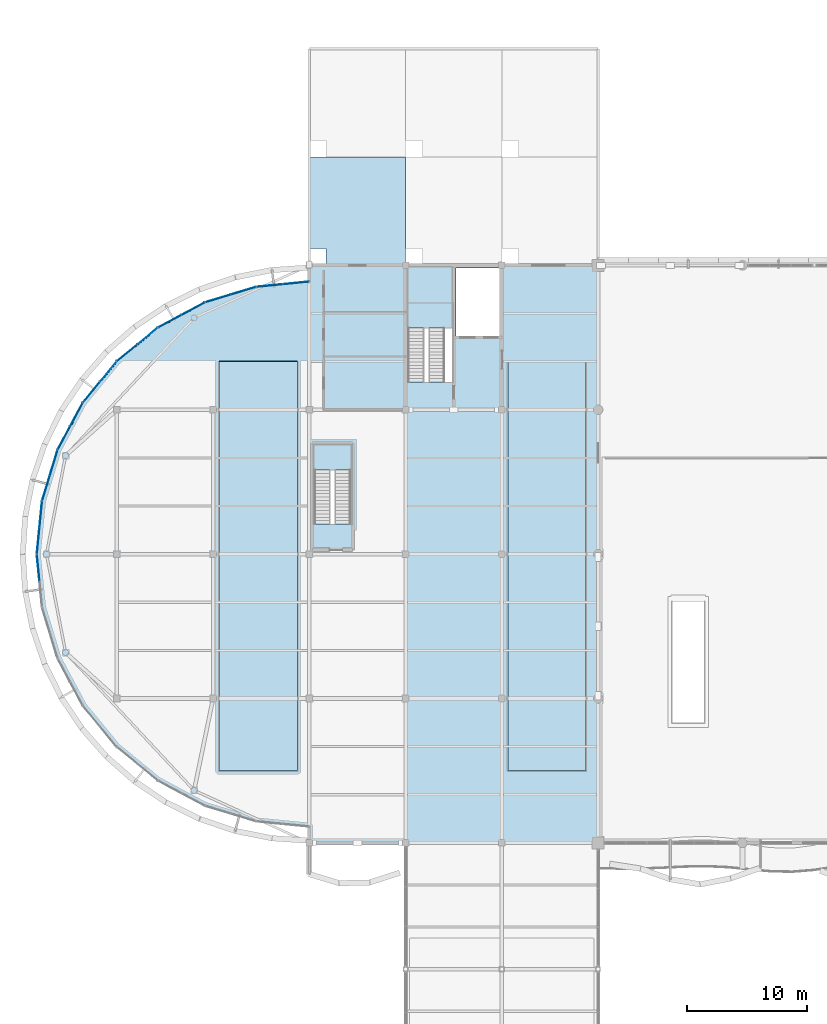
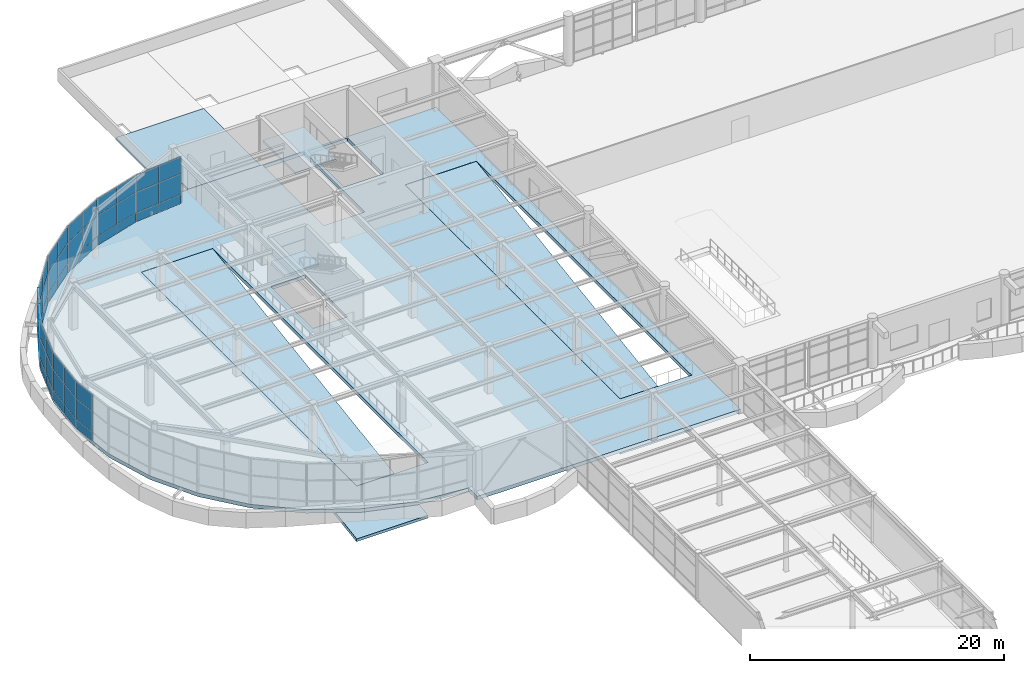
# One storey, part 38 of 72: 51 plates, 6 slabs, 11 elements without a shape of their own.
"""IFC4 building model written with IfcOpenShell, lengths in metres."""

from ifc_helpers import new_model, si_unit, direction, frame, origin, origin_with_axes, origin_2d, place, context, subcontext, project, spatial, polyline, rectangle, outline, extrude, material, layer, layer_set, type_object, element, aggregate, save


model = new_model("IFC4")

# Units and contexts
model_context = context("Model", 3, precision=1e-05, world=origin(), true_north=direction((0.0, 1.0)))
body_context = subcontext(model_context, "Body", "Model", "MODEL_VIEW")
ifc_project = project(units=[si_unit("LENGTHUNIT", "METRE"), si_unit("AREAUNIT", "SQUARE_METRE"), si_unit("VOLUMEUNIT", "CUBIC_METRE"), si_unit("PLANEANGLEUNIT", "RADIAN"), si_unit("MASSUNIT", "GRAM", prefix="KILO")], contexts=[model_context])

# Site, building, storey
site_placement = place(None, origin())
site = spatial("IfcSite", under=ifc_project, at=site_placement, CompositionType="ELEMENT")
building_placement = place(site_placement, origin())
building = spatial("IfcBuilding", under=site, at=building_placement, Name="Keelwater Ferry Terminal", CompositionType="ELEMENT")
storey_placement = place(building_placement, frame((0.0, 0.0, 5.39990234375)))
storey = spatial("IfcBuildingStorey", under=building, at=storey_placement, Name="L01", CompositionType="ELEMENT", Elevation=5.39990234375)

# Curtain wall, plates
ifc_material_1 = material(Name="Thermally broken unitised aluminium and triple glass", Category="aluminium")
ifc_layer_1 = layer(ifc_material_1, 0.179931640625)
ifc_layer_set_1 = layer_set([ifc_layer_1], Name="Thermally broken unitised aluminium and triple glass")
curtain_wall_type = type_object("IfcCurtainWallType", Name="CW-18 Unitised Curtain Wall 4350x4480", PredefinedType="USERDEFINED", material=ifc_layer_set_1)
curtain_wall_1_placement = place(storey_placement, origin())
curtain_wall_1 = element("IfcCurtainWall", 1, at=curtain_wall_1_placement, inside=storey, type_object=curtain_wall_type, Name="Unitised Curtain Wall CW-L01-109", ObjectType="UNITISED CURTAIN WALL", PredefinedType="USERDEFINED")
ifc_material_2 = material(Name="Insulated white cassette spandrel", Category="aluminium")
ifc_layer_2 = layer(ifc_material_2, 0.094970703125)
ifc_layer_set_2 = layer_set([ifc_layer_2], Name="Insulated white cassette spandrel")
plate_type_1 = type_object("IfcPlateType", Name="CWP-S2 Insulated Spandrel Panel 95", PredefinedType="CURTAIN_PANEL", material=ifc_layer_set_2)
plate_1_placement = place(storey_placement, frame((22.872802734375, 88.539306640625, 0.0), z_axis=(0.0, 0.0, 1.0), x_axis=(-0.995170573079, -0.098160737969, 0.0)))
plate_1 = element("IfcPlate", 2, at=plate_1_placement, type_object=plate_type_1, Name="CW-L01-109 Panel 1.1", PredefinedType="CURTAIN_PANEL", context=body_context, shape_type="SweptSolid", body=[
    extrude(rectangle(XDim=2.175048828125, YDim=0.094970703125, at=origin_2d()), origin(), (0.0, 0.0, 1.0), 0.85009765625),
])
plate_2_placement = place(storey_placement, frame((20.708251953125, 88.32568359375, 0.0), z_axis=(0.0, 0.0, 1.0), x_axis=(-0.995170573079, -0.098160737969, 0.0)))
plate_2 = element("IfcPlate", 3, at=plate_2_placement, type_object=plate_type_1, Name="CW-L01-109 Panel 2.1", PredefinedType="CURTAIN_PANEL", context=body_context, shape_type="SweptSolid", body=[
    extrude(rectangle(XDim=2.175048828125, YDim=0.094970703125, at=origin_2d()), origin(), (0.0, 0.0, 1.0), 0.85009765625),
])

curtain_wall_2_placement = place(storey_placement, origin())
curtain_wall_2 = element("IfcCurtainWall", 4, at=curtain_wall_2_placement, inside=storey, type_object=curtain_wall_type, Name="Unitised Curtain Wall CW-L01-110", ObjectType="UNITISED CURTAIN WALL", PredefinedType="USERDEFINED")
plate_3_placement = place(storey_placement, frame((18.497314453125, 87.88623046875, 0.0), z_axis=(0.0, 0.0, 1.0), x_axis=(-0.956929623319, -0.290319989003, 0.0)))
plate_3 = element("IfcPlate", 5, at=plate_3_placement, type_object=plate_type_1, Name="CW-L01-110 Panel 1.1", PredefinedType="CURTAIN_PANEL", context=body_context, shape_type="SweptSolid", body=[
    extrude(rectangle(XDim=2.17529296875, YDim=0.094970703125, at=origin_2d()), origin(), (0.0, 0.0, 1.0), 0.85009765625),
])
plate_4_placement = place(storey_placement, frame((16.415771484375, 87.254638671875, 0.0), z_axis=(0.0, 0.0, 1.0), x_axis=(-0.956929623319, -0.290319989003, 0.0)))
plate_4 = element("IfcPlate", 6, at=plate_4_placement, type_object=plate_type_1, Name="CW-L01-110 Panel 2.1", PredefinedType="CURTAIN_PANEL", context=body_context, shape_type="SweptSolid", body=[
    extrude(rectangle(XDim=2.17529296875, YDim=0.094970703125, at=origin_2d()), origin(), (0.0, 0.0, 1.0), 0.85009765625),
])

curtain_wall_3_placement = place(storey_placement, origin())
curtain_wall_3 = element("IfcCurtainWall", 7, at=curtain_wall_3_placement, inside=storey, type_object=curtain_wall_type, Name="Unitised Curtain Wall CW-L01-111", ObjectType="UNITISED CURTAIN WALL", PredefinedType="USERDEFINED")
plate_5_placement = place(storey_placement, frame((14.3330078125, 86.392333984375, 0.0), z_axis=(0.0, 0.0, 1.0), x_axis=(-0.881862452632, -0.471506749303, 0.0)))
plate_5 = element("IfcPlate", 8, at=plate_5_placement, type_object=plate_type_1, Name="CW-L01-111 Panel 1.1", PredefinedType="CURTAIN_PANEL", context=body_context, shape_type="SweptSolid", body=[
    extrude(rectangle(XDim=2.175048828125, YDim=0.094970703125, at=origin_2d()), origin(), (0.0, 0.0, 1.0), 0.85009765625),
])
plate_6_placement = place(storey_placement, frame((12.4150390625, 85.36669921875, 0.0), z_axis=(0.0, 0.0, 1.0), x_axis=(-0.881862452632, -0.471506749303, 0.0)))
plate_6 = element("IfcPlate", 9, at=plate_6_placement, type_object=plate_type_1, Name="CW-L01-111 Panel 2.1", PredefinedType="CURTAIN_PANEL", context=body_context, shape_type="SweptSolid", body=[
    extrude(rectangle(XDim=2.175048828125, YDim=0.094970703125, at=origin_2d()), origin(), (0.0, 0.0, 1.0), 0.85009765625),
])

curtain_wall_4_placement = place(storey_placement, origin())
curtain_wall_4 = element("IfcCurtainWall", 10, at=curtain_wall_4_placement, inside=storey, type_object=curtain_wall_type, Name="Unitised Curtain Wall CW-L01-112", ObjectType="UNITISED CURTAIN WALL", PredefinedType="USERDEFINED")
plate_7_placement = place(storey_placement, frame((10.54052734375, 84.1142578125, 0.0), z_axis=(0.0, 0.0, 1.0), x_axis=(-0.773024220086, -0.634376508991, 0.0)))
plate_7 = element("IfcPlate", 11, at=plate_7_placement, type_object=plate_type_1, Name="CW-L01-112 Panel 1.1", PredefinedType="CURTAIN_PANEL", context=body_context, shape_type="SweptSolid", body=[
    extrude(rectangle(XDim=2.174560546875, YDim=0.094970703125, at=origin_2d()), origin(), (0.0, 0.0, 1.0), 0.85009765625),
])
plate_8_placement = place(storey_placement, frame((8.859619140625, 82.73486328125, 0.0), z_axis=(0.0, 0.0, 1.0), x_axis=(-0.773024220086, -0.634376508991, 0.0)))
plate_8 = element("IfcPlate", 12, at=plate_8_placement, type_object=plate_type_1, Name="CW-L01-112 Panel 2.1", PredefinedType="CURTAIN_PANEL", context=body_context, shape_type="SweptSolid", body=[
    extrude(rectangle(XDim=2.174560546875, YDim=0.094970703125, at=origin_2d()), origin(), (0.0, 0.0, 1.0), 0.85009765625),
])

curtain_wall_5_placement = place(storey_placement, origin())
curtain_wall_5 = element("IfcCurtainWall", 13, at=curtain_wall_5_placement, inside=storey, type_object=curtain_wall_type, Name="Unitised Curtain Wall CW-L01-113", ObjectType="UNITISED CURTAIN WALL", PredefinedType="USERDEFINED")
plate_9_placement = place(storey_placement, frame((7.26513671875, 81.140380859375, 0.0), z_axis=(0.0, 0.0, 1.0), x_axis=(-0.634376508991, -0.773024220086, 0.0)))
plate_9 = element("IfcPlate", 14, at=plate_9_placement, type_object=plate_type_1, Name="CW-L01-113 Panel 1.1", PredefinedType="CURTAIN_PANEL", context=body_context, shape_type="SweptSolid", body=[
    extrude(rectangle(XDim=2.174560546875, YDim=0.094970703125, at=origin_2d()), origin(), (0.0, 0.0, 1.0), 0.85009765625),
])
plate_10_placement = place(storey_placement, frame((5.8857421875, 79.45947265625, 0.0), z_axis=(0.0, 0.0, 1.0), x_axis=(-0.634376508991, -0.773024220086, 0.0)))
plate_10 = element("IfcPlate", 15, at=plate_10_placement, type_object=plate_type_1, Name="CW-L01-113 Panel 2.1", PredefinedType="CURTAIN_PANEL", context=body_context, shape_type="SweptSolid", body=[
    extrude(rectangle(XDim=2.174560546875, YDim=0.094970703125, at=origin_2d()), origin(), (0.0, 0.0, 1.0), 0.85009765625),
])

curtain_wall_6_placement = place(storey_placement, origin())
curtain_wall_6 = element("IfcCurtainWall", 16, at=curtain_wall_6_placement, inside=storey, type_object=curtain_wall_type, Name="Unitised Curtain Wall CW-L01-114", ObjectType="UNITISED CURTAIN WALL", PredefinedType="USERDEFINED")
plate_11_placement = place(storey_placement, frame((4.63330078125, 77.5849609375, 0.0), z_axis=(0.0, 0.0, 1.0), x_axis=(-0.471506749303, -0.881862452632, 0.0)))
plate_11 = element("IfcPlate", 17, at=plate_11_placement, type_object=plate_type_1, Name="CW-L01-114 Panel 1.1", PredefinedType="CURTAIN_PANEL", context=body_context, shape_type="SweptSolid", body=[
    extrude(rectangle(XDim=2.175048828125, YDim=0.094970703125, at=origin_2d()), origin(), (0.0, 0.0, 1.0), 0.85009765625),
])
plate_12_placement = place(storey_placement, frame((3.607666015625, 75.6669921875, 0.0), z_axis=(0.0, 0.0, 1.0), x_axis=(-0.471506749303, -0.881862452632, 0.0)))
plate_12 = element("IfcPlate", 18, at=plate_12_placement, type_object=plate_type_1, Name="CW-L01-114 Panel 2.1", PredefinedType="CURTAIN_PANEL", context=body_context, shape_type="SweptSolid", body=[
    extrude(rectangle(XDim=2.175048828125, YDim=0.094970703125, at=origin_2d()), origin(), (0.0, 0.0, 1.0), 0.85009765625),
])

curtain_wall_7_placement = place(storey_placement, origin())
curtain_wall_7 = element("IfcCurtainWall", 19, at=curtain_wall_7_placement, inside=storey, type_object=curtain_wall_type, Name="Unitised Curtain Wall CW-L01-115", ObjectType="UNITISED CURTAIN WALL", PredefinedType="USERDEFINED")
plate_13_placement = place(storey_placement, frame((2.745361328125, 73.584228515625, 0.0), z_axis=(0.0, 0.0, 1.0), x_axis=(-0.290319989003, -0.956929623319, 0.0)))
plate_13 = element("IfcPlate", 20, at=plate_13_placement, type_object=plate_type_1, Name="CW-L01-115 Panel 1.1", PredefinedType="CURTAIN_PANEL", context=body_context, shape_type="SweptSolid", body=[
    extrude(rectangle(XDim=2.17529296875, YDim=0.094970703125, at=origin_2d()), origin(), (0.0, 0.0, 1.0), 0.85009765625),
])
plate_14_placement = place(storey_placement, frame((2.11376953125, 71.502685546875, 0.0), z_axis=(0.0, 0.0, 1.0), x_axis=(-0.290319989003, -0.956929623319, 0.0)))
plate_14 = element("IfcPlate", 21, at=plate_14_placement, type_object=plate_type_1, Name="CW-L01-115 Panel 2.1", PredefinedType="CURTAIN_PANEL", context=body_context, shape_type="SweptSolid", body=[
    extrude(rectangle(XDim=2.17529296875, YDim=0.094970703125, at=origin_2d()), origin(), (0.0, 0.0, 1.0), 0.85009765625),
])

curtain_wall_8_placement = place(storey_placement, origin())
curtain_wall_8 = element("IfcCurtainWall", 22, at=curtain_wall_8_placement, inside=storey, type_object=curtain_wall_type, Name="Unitised Curtain Wall CW-L01-116", ObjectType="UNITISED CURTAIN WALL", PredefinedType="USERDEFINED")
plate_15_placement = place(storey_placement, frame((1.67431640625, 69.291748046875, 0.0), z_axis=(0.0, 0.0, 1.0), x_axis=(-0.098160737969, -0.995170573079, 0.0)))
plate_15 = element("IfcPlate", 23, at=plate_15_placement, type_object=plate_type_1, Name="CW-L01-116 Panel 1.1", PredefinedType="CURTAIN_PANEL", context=body_context, shape_type="SweptSolid", body=[
    extrude(rectangle(XDim=2.175048828125, YDim=0.094970703125, at=origin_2d()), origin(), (0.0, 0.0, 1.0), 0.85009765625),
])
plate_16_placement = place(storey_placement, frame((1.460693359375, 67.127197265625, 0.0), z_axis=(0.0, 0.0, 1.0), x_axis=(-0.098160737969, -0.995170573079, 0.0)))
plate_16 = element("IfcPlate", 24, at=plate_16_placement, type_object=plate_type_1, Name="CW-L01-116 Panel 2.1", PredefinedType="CURTAIN_PANEL", context=body_context, shape_type="SweptSolid", body=[
    extrude(rectangle(XDim=2.175048828125, YDim=0.094970703125, at=origin_2d()), origin(), (0.0, 0.0, 1.0), 0.85009765625),
])

# Curtain wall, plate
curtain_wall_9_placement = place(storey_placement, origin())
curtain_wall_9 = element("IfcCurtainWall", 25, at=curtain_wall_9_placement, inside=storey, type_object=curtain_wall_type, Name="Unitised Curtain Wall CW-L01-117", ObjectType="UNITISED CURTAIN WALL", PredefinedType="USERDEFINED")
plate_17_placement = place(storey_placement, frame((1.460693359375, 64.872802734375, 0.0), z_axis=(0.0, 0.0, 1.0), x_axis=(0.098160737969, -0.995170573079, 0.0)))
plate_17 = element("IfcPlate", 26, at=plate_17_placement, type_object=plate_type_1, Name="CW-L01-117 Panel 1.1", PredefinedType="CURTAIN_PANEL", context=body_context, shape_type="SweptSolid", body=[
    extrude(rectangle(XDim=2.175048828125, YDim=0.094970703125, at=origin_2d()), origin(), (0.0, 0.0, 1.0), 0.85009765625),
])

# Plate
ifc_material_3 = material(Name="Triple low-E laminated glass", Category="glass")
ifc_layer_3 = layer(ifc_material_3, 0.035888671875)
ifc_layer_set_3 = layer_set([ifc_layer_3], Name="Triple low-E laminated glass")
plate_type_2 = type_object("IfcPlateType", Name="CWP-V1 Glazed Vision Panel 36", PredefinedType="CURTAIN_PANEL", material=ifc_layer_set_3)
plate_18_placement = place(storey_placement, frame((22.872802734375, 88.539306640625, 0.85009765625), z_axis=(0.0, 0.0, 1.0), x_axis=(-0.995170573079, -0.098160737969, 0.0)))
plate_18 = element("IfcPlate", 27, at=plate_18_placement, type_object=plate_type_2, Name="CW-L01-109 Panel 1.2", PredefinedType="CURTAIN_PANEL", context=body_context, shape_type="SweptSolid", body=[
    extrude(rectangle(XDim=2.175048828125, YDim=0.035888671875, at=origin_2d()), origin(), (0.0, 0.0, 1.0), 2.0),
])

plate_19_placement = place(storey_placement, frame((22.872802734375, 88.539306640625, 2.85009765625), z_axis=(0.0, 0.0, 1.0), x_axis=(-0.995170573079, -0.098160737969, 0.0)))
plate_19 = element("IfcPlate", 28, at=plate_19_placement, type_object=plate_type_2, Name="CW-L01-109 Panel 1.3", PredefinedType="CURTAIN_PANEL", context=body_context, shape_type="SweptSolid", body=[
    extrude(rectangle(XDim=2.175048828125, YDim=0.035888671875, at=origin_2d()), origin(), (0.0, 0.0, 1.0), 1.6298828125),
])

plate_20_placement = place(storey_placement, frame((20.708251953125, 88.32568359375, 0.85009765625), z_axis=(0.0, 0.0, 1.0), x_axis=(-0.995170573079, -0.098160737969, 0.0)))
plate_20 = element("IfcPlate", 29, at=plate_20_placement, type_object=plate_type_2, Name="CW-L01-109 Panel 2.2", PredefinedType="CURTAIN_PANEL", context=body_context, shape_type="SweptSolid", body=[
    extrude(rectangle(XDim=2.175048828125, YDim=0.035888671875, at=origin_2d()), origin(), (0.0, 0.0, 1.0), 2.0),
])

plate_21_placement = place(storey_placement, frame((20.708251953125, 88.32568359375, 2.85009765625), z_axis=(0.0, 0.0, 1.0), x_axis=(-0.995170573079, -0.098160737969, 0.0)))
plate_21 = element("IfcPlate", 30, at=plate_21_placement, type_object=plate_type_2, Name="CW-L01-109 Panel 2.3", PredefinedType="CURTAIN_PANEL", context=body_context, shape_type="SweptSolid", body=[
    extrude(rectangle(XDim=2.175048828125, YDim=0.035888671875, at=origin_2d()), origin(), (0.0, 0.0, 1.0), 1.6298828125),
])

aggregate(curtain_wall_1, [plate_1, plate_18, plate_19, plate_2, plate_20, plate_21])

plate_22_placement = place(storey_placement, frame((18.497314453125, 87.88623046875, 0.85009765625), z_axis=(0.0, 0.0, 1.0), x_axis=(-0.956929623319, -0.290319989003, 0.0)))
plate_22 = element("IfcPlate", 31, at=plate_22_placement, type_object=plate_type_2, Name="CW-L01-110 Panel 1.2", PredefinedType="CURTAIN_PANEL", context=body_context, shape_type="SweptSolid", body=[
    extrude(rectangle(XDim=2.17529296875, YDim=0.035888671875, at=origin_2d()), origin(), (0.0, 0.0, 1.0), 2.0),
])

plate_23_placement = place(storey_placement, frame((18.497314453125, 87.88623046875, 2.85009765625), z_axis=(0.0, 0.0, 1.0), x_axis=(-0.956929623319, -0.290319989003, 0.0)))
plate_23 = element("IfcPlate", 32, at=plate_23_placement, type_object=plate_type_2, Name="CW-L01-110 Panel 1.3", PredefinedType="CURTAIN_PANEL", context=body_context, shape_type="SweptSolid", body=[
    extrude(rectangle(XDim=2.17529296875, YDim=0.035888671875, at=origin_2d()), origin(), (0.0, 0.0, 1.0), 1.6298828125),
])

plate_24_placement = place(storey_placement, frame((16.415771484375, 87.254638671875, 0.85009765625), z_axis=(0.0, 0.0, 1.0), x_axis=(-0.956929623319, -0.290319989003, 0.0)))
plate_24 = element("IfcPlate", 33, at=plate_24_placement, type_object=plate_type_2, Name="CW-L01-110 Panel 2.2", PredefinedType="CURTAIN_PANEL", context=body_context, shape_type="SweptSolid", body=[
    extrude(rectangle(XDim=2.17529296875, YDim=0.035888671875, at=origin_2d()), origin(), (0.0, 0.0, 1.0), 2.0),
])

plate_25_placement = place(storey_placement, frame((16.415771484375, 87.254638671875, 2.85009765625), z_axis=(0.0, 0.0, 1.0), x_axis=(-0.956929623319, -0.290319989003, 0.0)))
plate_25 = element("IfcPlate", 34, at=plate_25_placement, type_object=plate_type_2, Name="CW-L01-110 Panel 2.3", PredefinedType="CURTAIN_PANEL", context=body_context, shape_type="SweptSolid", body=[
    extrude(rectangle(XDim=2.17529296875, YDim=0.035888671875, at=origin_2d()), origin(), (0.0, 0.0, 1.0), 1.6298828125),
])

aggregate(curtain_wall_2, [plate_3, plate_22, plate_23, plate_4, plate_24, plate_25])

plate_26_placement = place(storey_placement, frame((14.3330078125, 86.392333984375, 0.85009765625), z_axis=(0.0, 0.0, 1.0), x_axis=(-0.881862452632, -0.471506749303, 0.0)))
plate_26 = element("IfcPlate", 35, at=plate_26_placement, type_object=plate_type_2, Name="CW-L01-111 Panel 1.2", PredefinedType="CURTAIN_PANEL", context=body_context, shape_type="SweptSolid", body=[
    extrude(rectangle(XDim=2.175048828125, YDim=0.035888671875, at=origin_2d()), origin(), (0.0, 0.0, 1.0), 2.0),
])

plate_27_placement = place(storey_placement, frame((14.3330078125, 86.392333984375, 2.85009765625), z_axis=(0.0, 0.0, 1.0), x_axis=(-0.881862452632, -0.471506749303, 0.0)))
plate_27 = element("IfcPlate", 36, at=plate_27_placement, type_object=plate_type_2, Name="CW-L01-111 Panel 1.3", PredefinedType="CURTAIN_PANEL", context=body_context, shape_type="SweptSolid", body=[
    extrude(rectangle(XDim=2.175048828125, YDim=0.035888671875, at=origin_2d()), origin(), (0.0, 0.0, 1.0), 1.6298828125),
])

plate_28_placement = place(storey_placement, frame((12.4150390625, 85.36669921875, 0.85009765625), z_axis=(0.0, 0.0, 1.0), x_axis=(-0.881862452632, -0.471506749303, 0.0)))
plate_28 = element("IfcPlate", 37, at=plate_28_placement, type_object=plate_type_2, Name="CW-L01-111 Panel 2.2", PredefinedType="CURTAIN_PANEL", context=body_context, shape_type="SweptSolid", body=[
    extrude(rectangle(XDim=2.175048828125, YDim=0.035888671875, at=origin_2d()), origin(), (0.0, 0.0, 1.0), 2.0),
])

plate_29_placement = place(storey_placement, frame((12.4150390625, 85.36669921875, 2.85009765625), z_axis=(0.0, 0.0, 1.0), x_axis=(-0.881862452632, -0.471506749303, 0.0)))
plate_29 = element("IfcPlate", 38, at=plate_29_placement, type_object=plate_type_2, Name="CW-L01-111 Panel 2.3", PredefinedType="CURTAIN_PANEL", context=body_context, shape_type="SweptSolid", body=[
    extrude(rectangle(XDim=2.175048828125, YDim=0.035888671875, at=origin_2d()), origin(), (0.0, 0.0, 1.0), 1.6298828125),
])

aggregate(curtain_wall_3, [plate_5, plate_26, plate_27, plate_6, plate_28, plate_29])

plate_30_placement = place(storey_placement, frame((10.54052734375, 84.1142578125, 0.85009765625), z_axis=(0.0, 0.0, 1.0), x_axis=(-0.773024220086, -0.634376508991, 0.0)))
plate_30 = element("IfcPlate", 39, at=plate_30_placement, type_object=plate_type_2, Name="CW-L01-112 Panel 1.2", PredefinedType="CURTAIN_PANEL", context=body_context, shape_type="SweptSolid", body=[
    extrude(rectangle(XDim=2.174560546875, YDim=0.035888671875, at=origin_2d()), origin(), (0.0, 0.0, 1.0), 2.0),
])

plate_31_placement = place(storey_placement, frame((10.54052734375, 84.1142578125, 2.85009765625), z_axis=(0.0, 0.0, 1.0), x_axis=(-0.773024220086, -0.634376508991, 0.0)))
plate_31 = element("IfcPlate", 40, at=plate_31_placement, type_object=plate_type_2, Name="CW-L01-112 Panel 1.3", PredefinedType="CURTAIN_PANEL", context=body_context, shape_type="SweptSolid", body=[
    extrude(rectangle(XDim=2.174560546875, YDim=0.035888671875, at=origin_2d()), origin(), (0.0, 0.0, 1.0), 1.6298828125),
])

plate_32_placement = place(storey_placement, frame((8.859619140625, 82.73486328125, 0.85009765625), z_axis=(0.0, 0.0, 1.0), x_axis=(-0.773024220086, -0.634376508991, 0.0)))
plate_32 = element("IfcPlate", 41, at=plate_32_placement, type_object=plate_type_2, Name="CW-L01-112 Panel 2.2", PredefinedType="CURTAIN_PANEL", context=body_context, shape_type="SweptSolid", body=[
    extrude(rectangle(XDim=2.174560546875, YDim=0.035888671875, at=origin_2d()), origin(), (0.0, 0.0, 1.0), 2.0),
])

plate_33_placement = place(storey_placement, frame((8.859619140625, 82.73486328125, 2.85009765625), z_axis=(0.0, 0.0, 1.0), x_axis=(-0.773024220086, -0.634376508991, 0.0)))
plate_33 = element("IfcPlate", 42, at=plate_33_placement, type_object=plate_type_2, Name="CW-L01-112 Panel 2.3", PredefinedType="CURTAIN_PANEL", context=body_context, shape_type="SweptSolid", body=[
    extrude(rectangle(XDim=2.174560546875, YDim=0.035888671875, at=origin_2d()), origin(), (0.0, 0.0, 1.0), 1.6298828125),
])

aggregate(curtain_wall_4, [plate_7, plate_30, plate_31, plate_8, plate_32, plate_33])

plate_34_placement = place(storey_placement, frame((7.26513671875, 81.140380859375, 0.85009765625), z_axis=(0.0, 0.0, 1.0), x_axis=(-0.634376508991, -0.773024220086, 0.0)))
plate_34 = element("IfcPlate", 43, at=plate_34_placement, type_object=plate_type_2, Name="CW-L01-113 Panel 1.2", PredefinedType="CURTAIN_PANEL", context=body_context, shape_type="SweptSolid", body=[
    extrude(rectangle(XDim=2.174560546875, YDim=0.035888671875, at=origin_2d()), origin(), (0.0, 0.0, 1.0), 2.0),
])

plate_35_placement = place(storey_placement, frame((7.26513671875, 81.140380859375, 2.85009765625), z_axis=(0.0, 0.0, 1.0), x_axis=(-0.634376508991, -0.773024220086, 0.0)))
plate_35 = element("IfcPlate", 44, at=plate_35_placement, type_object=plate_type_2, Name="CW-L01-113 Panel 1.3", PredefinedType="CURTAIN_PANEL", context=body_context, shape_type="SweptSolid", body=[
    extrude(rectangle(XDim=2.174560546875, YDim=0.035888671875, at=origin_2d()), origin(), (0.0, 0.0, 1.0), 1.6298828125),
])

plate_36_placement = place(storey_placement, frame((5.8857421875, 79.45947265625, 0.85009765625), z_axis=(0.0, 0.0, 1.0), x_axis=(-0.634376508991, -0.773024220086, 0.0)))
plate_36 = element("IfcPlate", 45, at=plate_36_placement, type_object=plate_type_2, Name="CW-L01-113 Panel 2.2", PredefinedType="CURTAIN_PANEL", context=body_context, shape_type="SweptSolid", body=[
    extrude(rectangle(XDim=2.174560546875, YDim=0.035888671875, at=origin_2d()), origin(), (0.0, 0.0, 1.0), 2.0),
])

plate_37_placement = place(storey_placement, frame((5.8857421875, 79.45947265625, 2.85009765625), z_axis=(0.0, 0.0, 1.0), x_axis=(-0.634376508991, -0.773024220086, 0.0)))
plate_37 = element("IfcPlate", 46, at=plate_37_placement, type_object=plate_type_2, Name="CW-L01-113 Panel 2.3", PredefinedType="CURTAIN_PANEL", context=body_context, shape_type="SweptSolid", body=[
    extrude(rectangle(XDim=2.174560546875, YDim=0.035888671875, at=origin_2d()), origin(), (0.0, 0.0, 1.0), 1.6298828125),
])

aggregate(curtain_wall_5, [plate_9, plate_34, plate_35, plate_10, plate_36, plate_37])

plate_38_placement = place(storey_placement, frame((4.63330078125, 77.5849609375, 0.85009765625), z_axis=(0.0, 0.0, 1.0), x_axis=(-0.471506749303, -0.881862452632, 0.0)))
plate_38 = element("IfcPlate", 47, at=plate_38_placement, type_object=plate_type_2, Name="CW-L01-114 Panel 1.2", PredefinedType="CURTAIN_PANEL", context=body_context, shape_type="SweptSolid", body=[
    extrude(rectangle(XDim=2.175048828125, YDim=0.035888671875, at=origin_2d()), origin(), (0.0, 0.0, 1.0), 2.0),
])

plate_39_placement = place(storey_placement, frame((4.63330078125, 77.5849609375, 2.85009765625), z_axis=(0.0, 0.0, 1.0), x_axis=(-0.471506749303, -0.881862452632, 0.0)))
plate_39 = element("IfcPlate", 48, at=plate_39_placement, type_object=plate_type_2, Name="CW-L01-114 Panel 1.3", PredefinedType="CURTAIN_PANEL", context=body_context, shape_type="SweptSolid", body=[
    extrude(rectangle(XDim=2.175048828125, YDim=0.035888671875, at=origin_2d()), origin(), (0.0, 0.0, 1.0), 1.6298828125),
])

plate_40_placement = place(storey_placement, frame((3.607666015625, 75.6669921875, 0.85009765625), z_axis=(0.0, 0.0, 1.0), x_axis=(-0.471506749303, -0.881862452632, 0.0)))
plate_40 = element("IfcPlate", 49, at=plate_40_placement, type_object=plate_type_2, Name="CW-L01-114 Panel 2.2", PredefinedType="CURTAIN_PANEL", context=body_context, shape_type="SweptSolid", body=[
    extrude(rectangle(XDim=2.175048828125, YDim=0.035888671875, at=origin_2d()), origin(), (0.0, 0.0, 1.0), 2.0),
])

plate_41_placement = place(storey_placement, frame((3.607666015625, 75.6669921875, 2.85009765625), z_axis=(0.0, 0.0, 1.0), x_axis=(-0.471506749303, -0.881862452632, 0.0)))
plate_41 = element("IfcPlate", 50, at=plate_41_placement, type_object=plate_type_2, Name="CW-L01-114 Panel 2.3", PredefinedType="CURTAIN_PANEL", context=body_context, shape_type="SweptSolid", body=[
    extrude(rectangle(XDim=2.175048828125, YDim=0.035888671875, at=origin_2d()), origin(), (0.0, 0.0, 1.0), 1.6298828125),
])

aggregate(curtain_wall_6, [plate_11, plate_38, plate_39, plate_12, plate_40, plate_41])

plate_42_placement = place(storey_placement, frame((2.745361328125, 73.584228515625, 0.85009765625), z_axis=(0.0, 0.0, 1.0), x_axis=(-0.290319989003, -0.956929623319, 0.0)))
plate_42 = element("IfcPlate", 51, at=plate_42_placement, type_object=plate_type_2, Name="CW-L01-115 Panel 1.2", PredefinedType="CURTAIN_PANEL", context=body_context, shape_type="SweptSolid", body=[
    extrude(rectangle(XDim=2.17529296875, YDim=0.035888671875, at=origin_2d()), origin(), (0.0, 0.0, 1.0), 2.0),
])

plate_43_placement = place(storey_placement, frame((2.745361328125, 73.584228515625, 2.85009765625), z_axis=(0.0, 0.0, 1.0), x_axis=(-0.290319989003, -0.956929623319, 0.0)))
plate_43 = element("IfcPlate", 52, at=plate_43_placement, type_object=plate_type_2, Name="CW-L01-115 Panel 1.3", PredefinedType="CURTAIN_PANEL", context=body_context, shape_type="SweptSolid", body=[
    extrude(rectangle(XDim=2.17529296875, YDim=0.035888671875, at=origin_2d()), origin(), (0.0, 0.0, 1.0), 1.6298828125),
])

plate_44_placement = place(storey_placement, frame((2.11376953125, 71.502685546875, 0.85009765625), z_axis=(0.0, 0.0, 1.0), x_axis=(-0.290319989003, -0.956929623319, 0.0)))
plate_44 = element("IfcPlate", 53, at=plate_44_placement, type_object=plate_type_2, Name="CW-L01-115 Panel 2.2", PredefinedType="CURTAIN_PANEL", context=body_context, shape_type="SweptSolid", body=[
    extrude(rectangle(XDim=2.17529296875, YDim=0.035888671875, at=origin_2d()), origin(), (0.0, 0.0, 1.0), 2.0),
])

plate_45_placement = place(storey_placement, frame((2.11376953125, 71.502685546875, 2.85009765625), z_axis=(0.0, 0.0, 1.0), x_axis=(-0.290319989003, -0.956929623319, 0.0)))
plate_45 = element("IfcPlate", 54, at=plate_45_placement, type_object=plate_type_2, Name="CW-L01-115 Panel 2.3", PredefinedType="CURTAIN_PANEL", context=body_context, shape_type="SweptSolid", body=[
    extrude(rectangle(XDim=2.17529296875, YDim=0.035888671875, at=origin_2d()), origin(), (0.0, 0.0, 1.0), 1.6298828125),
])

aggregate(curtain_wall_7, [plate_13, plate_42, plate_43, plate_14, plate_44, plate_45])

plate_46_placement = place(storey_placement, frame((1.67431640625, 69.291748046875, 0.85009765625), z_axis=(0.0, 0.0, 1.0), x_axis=(-0.098160737969, -0.995170573079, 0.0)))
plate_46 = element("IfcPlate", 55, at=plate_46_placement, type_object=plate_type_2, Name="CW-L01-116 Panel 1.2", PredefinedType="CURTAIN_PANEL", context=body_context, shape_type="SweptSolid", body=[
    extrude(rectangle(XDim=2.175048828125, YDim=0.035888671875, at=origin_2d()), origin(), (0.0, 0.0, 1.0), 2.0),
])

plate_47_placement = place(storey_placement, frame((1.67431640625, 69.291748046875, 2.85009765625), z_axis=(0.0, 0.0, 1.0), x_axis=(-0.098160737969, -0.995170573079, 0.0)))
plate_47 = element("IfcPlate", 56, at=plate_47_placement, type_object=plate_type_2, Name="CW-L01-116 Panel 1.3", PredefinedType="CURTAIN_PANEL", context=body_context, shape_type="SweptSolid", body=[
    extrude(rectangle(XDim=2.175048828125, YDim=0.035888671875, at=origin_2d()), origin(), (0.0, 0.0, 1.0), 1.6298828125),
])

plate_48_placement = place(storey_placement, frame((1.460693359375, 67.127197265625, 0.85009765625), z_axis=(0.0, 0.0, 1.0), x_axis=(-0.098160737969, -0.995170573079, 0.0)))
plate_48 = element("IfcPlate", 57, at=plate_48_placement, type_object=plate_type_2, Name="CW-L01-116 Panel 2.2", PredefinedType="CURTAIN_PANEL", context=body_context, shape_type="SweptSolid", body=[
    extrude(rectangle(XDim=2.175048828125, YDim=0.035888671875, at=origin_2d()), origin(), (0.0, 0.0, 1.0), 2.0),
])

plate_49_placement = place(storey_placement, frame((1.460693359375, 67.127197265625, 2.85009765625), z_axis=(0.0, 0.0, 1.0), x_axis=(-0.098160737969, -0.995170573079, 0.0)))
plate_49 = element("IfcPlate", 58, at=plate_49_placement, type_object=plate_type_2, Name="CW-L01-116 Panel 2.3", PredefinedType="CURTAIN_PANEL", context=body_context, shape_type="SweptSolid", body=[
    extrude(rectangle(XDim=2.175048828125, YDim=0.035888671875, at=origin_2d()), origin(), (0.0, 0.0, 1.0), 1.6298828125),
])

aggregate(curtain_wall_8, [plate_15, plate_46, plate_47, plate_16, plate_48, plate_49])

plate_50_placement = place(storey_placement, frame((1.460693359375, 64.872802734375, 0.85009765625), z_axis=(0.0, 0.0, 1.0), x_axis=(0.098160737969, -0.995170573079, 0.0)))
plate_50 = element("IfcPlate", 59, at=plate_50_placement, type_object=plate_type_2, Name="CW-L01-117 Panel 1.2", PredefinedType="CURTAIN_PANEL", context=body_context, shape_type="SweptSolid", body=[
    extrude(rectangle(XDim=2.175048828125, YDim=0.035888671875, at=origin_2d()), origin(), (0.0, 0.0, 1.0), 2.0),
])

plate_51_placement = place(storey_placement, frame((1.460693359375, 64.872802734375, 2.85009765625), z_axis=(0.0, 0.0, 1.0), x_axis=(0.098160737969, -0.995170573079, 0.0)))
plate_51 = element("IfcPlate", 60, at=plate_51_placement, type_object=plate_type_2, Name="CW-L01-117 Panel 1.3", PredefinedType="CURTAIN_PANEL", context=body_context, shape_type="SweptSolid", body=[
    extrude(rectangle(XDim=2.175048828125, YDim=0.035888671875, at=origin_2d()), origin(), (0.0, 0.0, 1.0), 1.6298828125),
])

aggregate(curtain_wall_9, [plate_17, plate_50, plate_51])

# Slabs
ifc_material_4 = material(Name="Concrete C40/50", Category="concrete")
ifc_layer_4 = layer(ifc_material_4, 0.300048828125)
ifc_layer_set_4 = layer_set([ifc_layer_4], Name="Concrete C40/50")
slab_type_1 = type_object("IfcSlabType", Name="SL-F300 Suspended Floor Slab 300", PredefinedType="FLOOR", material=ifc_layer_set_4)
for number, where, z_axis, x_axis, name in (
    (61, (16.5, 48.04445946501704, -5.391687303352197), (0.0, -0.14819821672347472, 0.9889576778406557), (1.0, 0.0, 0.0), "Vehicle Ramp VR1 Structural Concrete C40/50 Slab SL-L01-062"),
    (62, (40.5, 48.04445946501704, -5.391687303352197), (0.0, -0.14819821672347472, 0.9889576778406557), (1.0, 0.0, 0.0), "Vehicle Ramp VR2 Structural Concrete C40/50 Slab SL-L01-063"),
):
    element("IfcSlab", number, at=place(storey_placement, frame(where, z_axis=z_axis, x_axis=x_axis)), inside=storey, type_object=slab_type_1, Name=name, PredefinedType="FLOOR", context=body_context, shape_type="SweptSolid", body=[
        extrude(outline(polyline([(0.0, 0.0), (6.5, 0.0), (6.5, 34.3796309607884), (0.0, 34.3796309607884), (0.0, 0.0)])), origin_with_axes(), (0.0, 0.0, 1.0), 0.3),
    ])
ifc_material_5 = material(Name="Concrete C40/50", Category="concrete")
ifc_layer_5 = layer(ifc_material_5, 0.340087890625)
ifc_layer_set_5 = layer_set([ifc_layer_5], Name="Concrete C40/50")
slab_type_2 = type_object("IfcSlabType", Name="SL-F340 Suspended Floor Slab 340", PredefinedType="FLOOR", material=ifc_layer_set_5)
slab_1_placement = place(storey_placement, frame((0.0, 0.0, -0.33984375)))
element("IfcSlab", 63, at=slab_1_placement, inside=storey, type_object=slab_type_2, Name="V4 Upper Car Check-In Deck Slab SL-L01-026", PredefinedType="FLOOR", context=body_context, shape_type="SweptSolid", body=[
    extrude(outline(polyline([(24.0, 90.0), (24.0, 88.64990234375), (19.5810546875, 88.215087890625), (15.33203125, 86.926025390625), (11.416015625, 84.8330078125), (7.98388671875, 82.01611328125), (5.1669921875, 78.583984375), (3.073974609375, 74.66796875), (1.784912109375, 70.4189453125), (1.35009765625, 66.0), (1.784912109375, 61.5810546875), (3.073974609375, 57.33203125), (5.1669921875, 53.416015625), (7.98388671875, 49.98388671875), (11.416015625, 47.1669921875), (15.33203125, 45.073974609375), (19.5810546875, 43.784912109375), (24.0, 43.35009765625), (24.0, 42.0), (48.0, 42.0), (48.0, 90.0), (24.0, 90.0)]), holes=[polyline([(32.14990234375, 80.320068359375), (35.89990234375, 80.320068359375), (35.89990234375, 89.89990234375), (32.14990234375, 89.89990234375), (32.14990234375, 80.320068359375)]), polyline([(36.199951171875, 84.14990234375), (39.800048828125, 84.14990234375), (39.800048828125, 89.800048828125), (36.199951171875, 89.800048828125), (36.199951171875, 84.14990234375)]), polyline([(16.5, 48.0), (23.0, 48.0), (23.0, 81.9599609375), (16.5, 81.9599609375), (16.5, 48.0)]), polyline([(40.5, 48.0), (47.0, 48.0), (47.0, 81.9599609375), (40.5, 81.9599609375), (40.5, 48.0)]), polyline([(24.35009765625, 68.52001953125), (27.5, 68.52001953125), (27.5, 75.14990234375), (24.35009765625, 75.14990234375), (24.35009765625, 68.52001953125)])]), origin(), (0.0, 0.0, 1.0), 0.33984375),
])

# Stair, slab
ifc_material_6 = material(Name="Concrete C40/50", Category="concrete")
stair_type = type_object("IfcStairType", Name="ST-T02 Half-Turn Stair 1350W 32R", PredefinedType="HALF_TURN_STAIR", material=ifc_material_6)
stair_1_placement = place(storey_placement, origin())
stair_1 = element("IfcStair", 64, at=stair_1_placement, inside=storey, type_object=stair_type, Name="Half-Turn Stair ST-C1-L01", PredefinedType="HALF_TURN_STAIR")
ifc_material_7 = material(Name="Concrete C40/50", Category="concrete")
ifc_layer_6 = layer(ifc_material_7, 0.219970703125)
ifc_layer_set_6 = layer_set([ifc_layer_6], Name="Concrete C40/50")
slab_type_3 = type_object("IfcSlabType", Name="SL-LD220 Stair Landing Slab 220", PredefinedType="LANDING", material=ifc_layer_set_6)
slab_2_placement = place(storey_placement, frame((0.0, 0.0, 2.18017578125)))
slab_2 = element("IfcSlab", 65, at=slab_2_placement, type_object=slab_type_3, Name="ST-C1-L01 landing 1", PredefinedType="LANDING", context=body_context, shape_type="SweptSolid", body=[
    extrude(outline(polyline([(32.14990234375, 84.780029296875), (35.8798828125, 84.780029296875), (35.8798828125, 89.89990234375), (32.14990234375, 89.89990234375), (32.14990234375, 84.780029296875)])), origin(), (0.0, 0.0, 1.0), 0.219970703125),
])
aggregate(stair_1, [slab_2])

stair_2_placement = place(storey_placement, origin())
stair_2 = element("IfcStair", 66, at=stair_2_placement, inside=storey, type_object=stair_type, Name="Half-Turn Stair ST-W6-L01", PredefinedType="HALF_TURN_STAIR")
slab_3_placement = place(storey_placement, frame((0.0, 0.0, 2.18017578125)))
slab_3 = element("IfcSlab", 67, at=slab_3_placement, type_object=slab_type_3, Name="ST-W6-L01 landing 1", PredefinedType="LANDING", context=body_context, shape_type="SweptSolid", body=[
    extrude(outline(polyline([(24.35009765625, 72.97998046875), (27.5, 72.97998046875), (27.5, 75.14990234375), (24.35009765625, 75.14990234375), (24.35009765625, 72.97998046875)])), origin(), (0.0, 0.0, 1.0), 0.219970703125),
])
aggregate(stair_2, [slab_3])

# Slab
ifc_material_8 = material(Name="Concrete C40/50", Category="concrete")
ifc_layer_7 = layer(ifc_material_8, 0.199951171875)
ifc_layer_set_7 = layer_set([ifc_layer_7], Name="Concrete C40/50")
slab_type_4 = type_object("IfcSlabType", Name="SL-R200 Roof Slab 200", PredefinedType="ROOF", material=ifc_layer_set_7)
slab_4_placement = place(storey_placement, frame((0.0, 0.0, -0.199951171875)))
element("IfcSlab", 68, at=slab_4_placement, inside=storey, type_object=slab_type_4, Name="V4 Ground Marshalling Apron Roof Bay Slab SL-L01-027", PredefinedType="ROOF", context=body_context, shape_type="SweptSolid", body=[
    extrude(outline(polyline([(25.39990234375, 90.0), (32.0, 90.0), (32.0, 99.0), (24.0, 99.0), (24.0, 91.39990234375), (25.39990234375, 91.39990234375), (25.39990234375, 90.0)])), origin(), (0.0, 0.0, 1.0), 0.199951171875),
])

save(model, "model.ifc")
